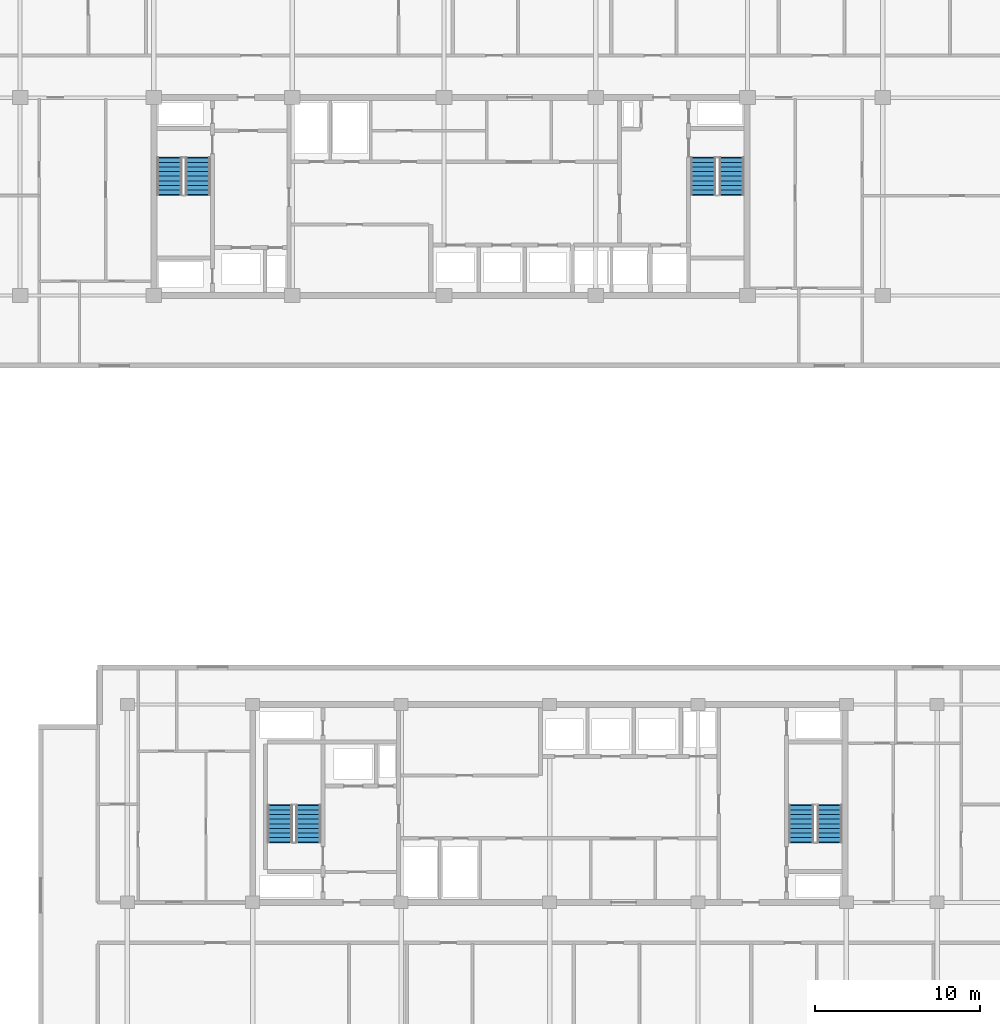
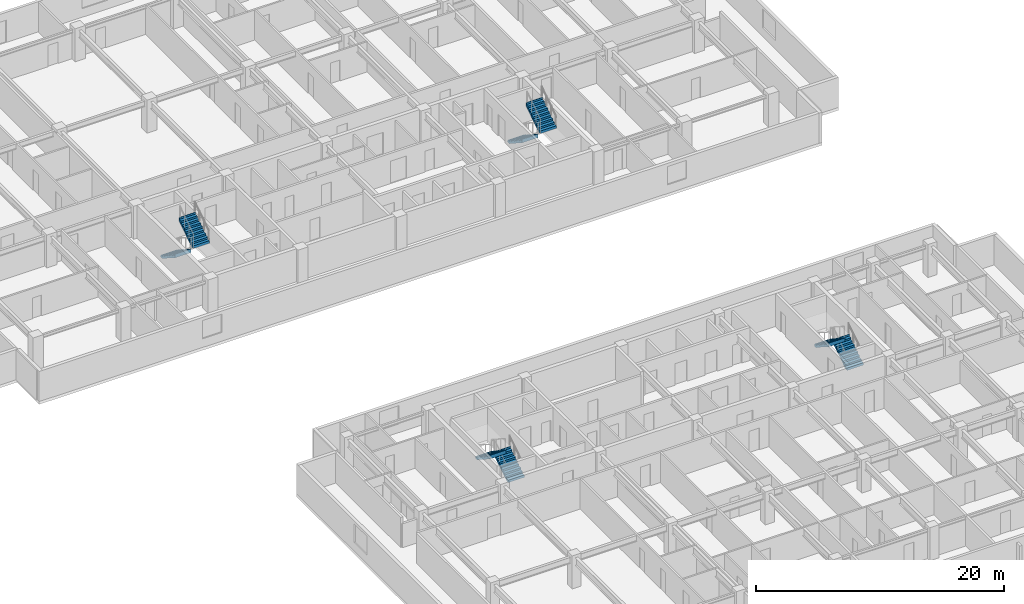
# One storey, part 16 of 21: 8 stair flights, 4 elements without a shape of their own.
"""IFC4 building model written with IfcOpenShell, lengths in metres."""

from ifc_helpers import new_model, si_unit, direction, frame, origin, place, context, subcontext, project, spatial, polyline, outline, extrude, material, type_object, element, aggregate, save


model = new_model("IFC4")

# Units and contexts
model_context = context("Model", 3, precision=1e-05, world=origin(), true_north=direction((0.0, 1.0)))
body_context = subcontext(model_context, "Body", "Model", "MODEL_VIEW")
ifc_project = project(units=[si_unit("LENGTHUNIT", "METRE"), si_unit("AREAUNIT", "SQUARE_METRE"), si_unit("VOLUMEUNIT", "CUBIC_METRE"), si_unit("PLANEANGLEUNIT", "RADIAN"), si_unit("MASSUNIT", "GRAM", prefix="KILO")], contexts=[model_context])

# Site, building, storey
site_placement = place(None, origin())
site = spatial("IfcSite", under=ifc_project, at=site_placement, CompositionType="ELEMENT")
building_placement = place(site_placement, origin())
building = spatial("IfcBuilding", under=site, at=building_placement, Name="Korimba Cascade Residences", CompositionType="ELEMENT")
storey_placement = place(building_placement, frame((0.0, 0.0, 103.550048828125)))
storey = spatial("IfcBuildingStorey", under=building, at=storey_placement, Name="L29", CompositionType="ELEMENT", Elevation=103.550048828125)

# Stair, stair flights
ifc_material = material(Name="Concrete C50/60", Category="concrete")
stair_type_1 = type_object("IfcStairType", Name="STR-W1-18R-1806", PredefinedType="HALF_TURN_STAIR", material=ifc_material)
stair_1_placement = place(storey_placement, origin())
stair_1 = element("IfcStair", 1, at=stair_1_placement, inside=storey, type_object=stair_type_1, Name="L29 Tower 1 West Fire Stair ST-W1", PredefinedType="HALF_TURN_STAIR")
stair_flight_type = type_object("IfcStairFlightType", Name="STF-DL-18R-1806-1520", PredefinedType="STRAIGHT", material=ifc_material)
stair_flight_1_placement = place(storey_placement, frame((77.06005859375, 63.550048828125, 0.0), z_axis=(0.0, 0.0, 1.0), x_axis=(0.0, -1.0, 0.0)))
stair_flight_1 = element("IfcStairFlight", 2, at=stair_flight_1_placement, type_object=stair_flight_type, Name="ST-W1 flight 1", NumberOfRisers=9, NumberOfTreads=8, PredefinedType="STRAIGHT", RiserHeight=0.180555556, TreadLength=0.28, context=body_context, shape_type="SweptSolid", body=[
    extrude(outline(polyline([(-0.0380859375, 0.0), (0.0, 0.1806640625), (0.280029296875, 0.1806640625), (0.280029296875, 0.361083984375), (0.56005859375, 0.361083984375), (0.56005859375, 0.541748046875), (0.840087890625, 0.541748046875), (0.840087890625, 0.72216796875), (1.1201171875, 0.72216796875), (1.1201171875, 0.90283203125), (1.39990234375, 0.90283203125), (1.39990234375, 1.083251953125), (1.679931640625, 1.083251953125), (1.679931640625, 1.263916015625), (1.9599609375, 1.263916015625), (1.9599609375, 1.4443359375), (2.239990234375, 1.4443359375), (2.239990234375, 1.625), (2.278076171875, 1.625), (2.278076171875, 1.26611328125), (0.276611328125, 0.0), (0.276611328125, -0.0380859375), (-0.0380859375, -0.0380859375), (-0.0380859375, 0.0)])), frame((0.0, 0.760009765625, 0.0), z_axis=(0.0, -1.0, 0.0), x_axis=(1.0, 0.0, 0.0)), (0.0, 0.0, 1.0), 1.52001953125),
])
stair_flight_2_placement = place(storey_placement, frame((78.780029296875, 61.31005859375, 1.625), z_axis=(0.0, 0.0, 1.0), x_axis=(0.0, 1.0, 0.0)))
stair_flight_2 = element("IfcStairFlight", 3, at=stair_flight_2_placement, type_object=stair_flight_type, Name="ST-W1 flight 2", NumberOfRisers=9, NumberOfTreads=8, PredefinedType="STRAIGHT", RiserHeight=0.180555556, TreadLength=0.28, context=body_context, shape_type="SweptSolid", body=[
    extrude(outline(polyline([(-0.0380859375, 0.0), (0.0, 0.1806640625), (0.280029296875, 0.1806640625), (0.280029296875, 0.361083984375), (0.56005859375, 0.361083984375), (0.56005859375, 0.541748046875), (0.840087890625, 0.541748046875), (0.840087890625, 0.72216796875), (1.1201171875, 0.72216796875), (1.1201171875, 0.90283203125), (1.39990234375, 0.90283203125), (1.39990234375, 1.083251953125), (1.679931640625, 1.083251953125), (1.679931640625, 1.263916015625), (1.9599609375, 1.263916015625), (1.9599609375, 1.4443359375), (2.239990234375, 1.4443359375), (2.239990234375, 1.625), (2.278076171875, 1.625), (2.278076171875, 1.26611328125), (0.276611328125, 0.0), (0.276611328125, -0.0380859375), (-0.0380859375, -0.0380859375), (-0.0380859375, 0.0)])), frame((0.0, 0.760009765625, 0.0), z_axis=(0.0, -1.0, 0.0), x_axis=(1.0, 0.0, 0.0)), (0.0, 0.0, 1.0), 1.52001953125),
])
aggregate(stair_1, [stair_flight_1, stair_flight_2])

stair_type_2 = type_object("IfcStairType", Name="STR-W2-18R-1806", PredefinedType="HALF_TURN_STAIR", material=ifc_material)
stair_2_placement = place(storey_placement, origin())
stair_2 = element("IfcStair", 4, at=stair_2_placement, inside=storey, type_object=stair_type_2, Name="L29 Tower 1 East Fire Stair ST-W2", PredefinedType="HALF_TURN_STAIR")
stair_flight_3_placement = place(storey_placement, frame((109.419921875, 63.550048828125, 0.0), z_axis=(0.0, 0.0, 1.0), x_axis=(0.0, -1.0, 0.0)))
stair_flight_3 = element("IfcStairFlight", 5, at=stair_flight_3_placement, type_object=stair_flight_type, Name="ST-W2 flight 1", NumberOfRisers=9, NumberOfTreads=8, PredefinedType="STRAIGHT", RiserHeight=0.180555556, TreadLength=0.28, context=body_context, shape_type="SweptSolid", body=[
    extrude(outline(polyline([(-0.0380859375, 0.0), (0.0, 0.1806640625), (0.280029296875, 0.1806640625), (0.280029296875, 0.361083984375), (0.56005859375, 0.361083984375), (0.56005859375, 0.541748046875), (0.840087890625, 0.541748046875), (0.840087890625, 0.72216796875), (1.1201171875, 0.72216796875), (1.1201171875, 0.90283203125), (1.39990234375, 0.90283203125), (1.39990234375, 1.083251953125), (1.679931640625, 1.083251953125), (1.679931640625, 1.263916015625), (1.9599609375, 1.263916015625), (1.9599609375, 1.4443359375), (2.239990234375, 1.4443359375), (2.239990234375, 1.625), (2.278076171875, 1.625), (2.278076171875, 1.26611328125), (0.276611328125, 0.0), (0.276611328125, -0.0380859375), (-0.0380859375, -0.0380859375), (-0.0380859375, 0.0)])), frame((0.0, 0.760009765625, 0.0), z_axis=(0.0, -1.0, 0.0), x_axis=(1.0, 0.0, 0.0)), (0.0, 0.0, 1.0), 1.52001953125),
])
stair_flight_4_placement = place(storey_placement, frame((111.139892578125, 61.31005859375, 1.625), z_axis=(0.0, 0.0, 1.0), x_axis=(0.0, 1.0, 0.0)))
stair_flight_4 = element("IfcStairFlight", 6, at=stair_flight_4_placement, type_object=stair_flight_type, Name="ST-W2 flight 2", NumberOfRisers=9, NumberOfTreads=8, PredefinedType="STRAIGHT", RiserHeight=0.180555556, TreadLength=0.28, context=body_context, shape_type="SweptSolid", body=[
    extrude(outline(polyline([(-0.0380859375, 0.0), (0.0, 0.1806640625), (0.280029296875, 0.1806640625), (0.280029296875, 0.361083984375), (0.56005859375, 0.361083984375), (0.56005859375, 0.541748046875), (0.840087890625, 0.541748046875), (0.840087890625, 0.72216796875), (1.1201171875, 0.72216796875), (1.1201171875, 0.90283203125), (1.39990234375, 0.90283203125), (1.39990234375, 1.083251953125), (1.679931640625, 1.083251953125), (1.679931640625, 1.263916015625), (1.9599609375, 1.263916015625), (1.9599609375, 1.4443359375), (2.239990234375, 1.4443359375), (2.239990234375, 1.625), (2.278076171875, 1.625), (2.278076171875, 1.26611328125), (0.276611328125, 0.0), (0.276611328125, -0.0380859375), (-0.0380859375, -0.0380859375), (-0.0380859375, 0.0)])), frame((0.0, 0.760009765625, 0.0), z_axis=(0.0, -1.0, 0.0), x_axis=(1.0, 0.0, 0.0)), (0.0, 0.0, 1.0), 1.52001953125),
])
aggregate(stair_2, [stair_flight_3, stair_flight_4])

stair_type_3 = type_object("IfcStairType", Name="STR-E1-18R-1806", PredefinedType="HALF_TURN_STAIR", material=ifc_material)
stair_3_placement = place(storey_placement, origin())
stair_3 = element("IfcStair", 7, at=stair_3_placement, inside=storey, type_object=stair_type_3, Name="L29 Tower 2 West Fire Stair ST-E1", PredefinedType="HALF_TURN_STAIR")
stair_flight_5_placement = place(storey_placement, frame((85.47998046875, 22.050048828125, 0.0), z_axis=(0.0, 0.0, 1.0), x_axis=(0.0, 1.0, 0.0)))
stair_flight_5 = element("IfcStairFlight", 8, at=stair_flight_5_placement, type_object=stair_flight_type, Name="ST-E1 flight 1", NumberOfRisers=9, NumberOfTreads=8, PredefinedType="STRAIGHT", RiserHeight=0.180555556, TreadLength=0.28, context=body_context, shape_type="SweptSolid", body=[
    extrude(outline(polyline([(-0.0380859375, 0.0), (0.0, 0.1806640625), (0.280029296875, 0.1806640625), (0.280029296875, 0.361083984375), (0.56005859375, 0.361083984375), (0.56005859375, 0.541748046875), (0.840087890625, 0.541748046875), (0.840087890625, 0.72216796875), (1.1201171875, 0.72216796875), (1.1201171875, 0.90283203125), (1.39990234375, 0.90283203125), (1.39990234375, 1.083251953125), (1.679931640625, 1.083251953125), (1.679931640625, 1.263916015625), (1.9599609375, 1.263916015625), (1.9599609375, 1.4443359375), (2.239990234375, 1.4443359375), (2.239990234375, 1.625), (2.278076171875, 1.625), (2.278076171875, 1.26611328125), (0.276611328125, 0.0), (0.276611328125, -0.0380859375), (-0.0380859375, -0.0380859375), (-0.0380859375, 0.0)])), frame((0.0, 0.760009765625, 0.0), z_axis=(0.0, -1.0, 0.0), x_axis=(1.0, 0.0, 0.0)), (0.0, 0.0, 1.0), 1.52001953125),
])
stair_flight_6_placement = place(storey_placement, frame((83.760009765625, 24.2900390625, 1.625), z_axis=(0.0, 0.0, 1.0), x_axis=(0.0, -1.0, 0.0)))
stair_flight_6 = element("IfcStairFlight", 9, at=stair_flight_6_placement, type_object=stair_flight_type, Name="ST-E1 flight 2", NumberOfRisers=9, NumberOfTreads=8, PredefinedType="STRAIGHT", RiserHeight=0.180555556, TreadLength=0.28, context=body_context, shape_type="SweptSolid", body=[
    extrude(outline(polyline([(-0.0380859375, 0.0), (0.0, 0.1806640625), (0.280029296875, 0.1806640625), (0.280029296875, 0.361083984375), (0.56005859375, 0.361083984375), (0.56005859375, 0.541748046875), (0.840087890625, 0.541748046875), (0.840087890625, 0.72216796875), (1.1201171875, 0.72216796875), (1.1201171875, 0.90283203125), (1.39990234375, 0.90283203125), (1.39990234375, 1.083251953125), (1.679931640625, 1.083251953125), (1.679931640625, 1.263916015625), (1.9599609375, 1.263916015625), (1.9599609375, 1.4443359375), (2.239990234375, 1.4443359375), (2.239990234375, 1.625), (2.278076171875, 1.625), (2.278076171875, 1.26611328125), (0.276611328125, 0.0), (0.276611328125, -0.0380859375), (-0.0380859375, -0.0380859375), (-0.0380859375, 0.0)])), frame((0.0, 0.760009765625, 0.0), z_axis=(0.0, -1.0, 0.0), x_axis=(1.0, 0.0, 0.0)), (0.0, 0.0, 1.0), 1.52001953125),
])
aggregate(stair_3, [stair_flight_5, stair_flight_6])

stair_type_4 = type_object("IfcStairType", Name="STR-E2-18R-1806", PredefinedType="HALF_TURN_STAIR", material=ifc_material)
stair_4_placement = place(storey_placement, origin())
stair_4 = element("IfcStair", 10, at=stair_4_placement, inside=storey, type_object=stair_type_4, Name="L29 Tower 2 East Fire Stair ST-E2", PredefinedType="HALF_TURN_STAIR")
stair_flight_7_placement = place(storey_placement, frame((117.080078125, 22.050048828125, 0.0), z_axis=(0.0, 0.0, 1.0), x_axis=(0.0, 1.0, 0.0)))
stair_flight_7 = element("IfcStairFlight", 11, at=stair_flight_7_placement, type_object=stair_flight_type, Name="ST-E2 flight 1", NumberOfRisers=9, NumberOfTreads=8, PredefinedType="STRAIGHT", RiserHeight=0.180555556, TreadLength=0.28, context=body_context, shape_type="SweptSolid", body=[
    extrude(outline(polyline([(-0.0380859375, 0.0), (0.0, 0.1806640625), (0.280029296875, 0.1806640625), (0.280029296875, 0.361083984375), (0.56005859375, 0.361083984375), (0.56005859375, 0.541748046875), (0.840087890625, 0.541748046875), (0.840087890625, 0.72216796875), (1.1201171875, 0.72216796875), (1.1201171875, 0.90283203125), (1.39990234375, 0.90283203125), (1.39990234375, 1.083251953125), (1.679931640625, 1.083251953125), (1.679931640625, 1.263916015625), (1.9599609375, 1.263916015625), (1.9599609375, 1.4443359375), (2.239990234375, 1.4443359375), (2.239990234375, 1.625), (2.278076171875, 1.625), (2.278076171875, 1.26611328125), (0.276611328125, 0.0), (0.276611328125, -0.0380859375), (-0.0380859375, -0.0380859375), (-0.0380859375, 0.0)])), frame((0.0, 0.760009765625, 0.0), z_axis=(0.0, -1.0, 0.0), x_axis=(1.0, 0.0, 0.0)), (0.0, 0.0, 1.0), 1.52001953125),
])
stair_flight_8_placement = place(storey_placement, frame((115.360107421875, 24.2900390625, 1.625), z_axis=(0.0, 0.0, 1.0), x_axis=(0.0, -1.0, 0.0)))
stair_flight_8 = element("IfcStairFlight", 12, at=stair_flight_8_placement, type_object=stair_flight_type, Name="ST-E2 flight 2", NumberOfRisers=9, NumberOfTreads=8, PredefinedType="STRAIGHT", RiserHeight=0.180555556, TreadLength=0.28, context=body_context, shape_type="SweptSolid", body=[
    extrude(outline(polyline([(-0.0380859375, 0.0), (0.0, 0.1806640625), (0.280029296875, 0.1806640625), (0.280029296875, 0.361083984375), (0.56005859375, 0.361083984375), (0.56005859375, 0.541748046875), (0.840087890625, 0.541748046875), (0.840087890625, 0.72216796875), (1.1201171875, 0.72216796875), (1.1201171875, 0.90283203125), (1.39990234375, 0.90283203125), (1.39990234375, 1.083251953125), (1.679931640625, 1.083251953125), (1.679931640625, 1.263916015625), (1.9599609375, 1.263916015625), (1.9599609375, 1.4443359375), (2.239990234375, 1.4443359375), (2.239990234375, 1.625), (2.278076171875, 1.625), (2.278076171875, 1.26611328125), (0.276611328125, 0.0), (0.276611328125, -0.0380859375), (-0.0380859375, -0.0380859375), (-0.0380859375, 0.0)])), frame((0.0, 0.760009765625, 0.0), z_axis=(0.0, -1.0, 0.0), x_axis=(1.0, 0.0, 0.0)), (0.0, 0.0, 1.0), 1.52001953125),
])
aggregate(stair_4, [stair_flight_7, stair_flight_8])

save(model, "model.ifc")
